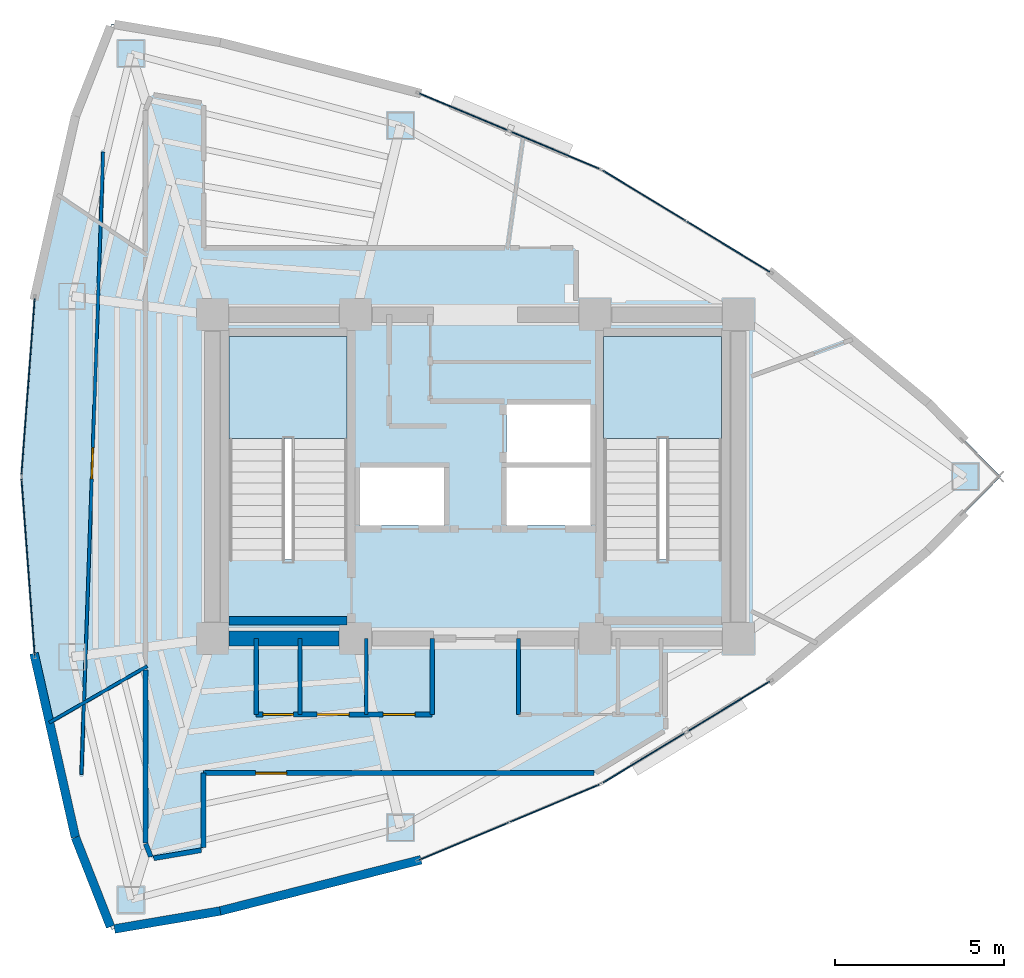
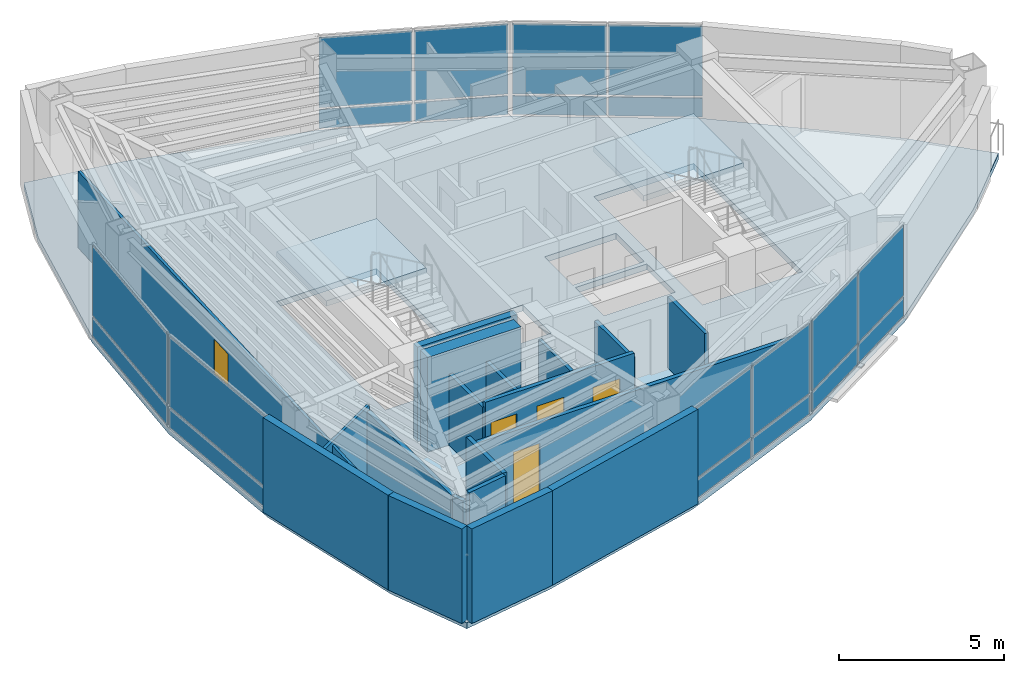
# One storey, part 11 of 16: 20 plates, 19 walls, 5 doors, 3 slabs, 5 openings, 8 elements without a shape of their own.
"""IFC4 building model written with IfcOpenShell, lengths in metres."""

from ifc_helpers import new_model, si_unit, direction, frame, frame_2d, origin, origin_2d, place, context, subcontext, project, spatial, polyline, rectangle, outline, extrude, material, layer, layer_set, type_object, element, fill, aggregate, save


model = new_model("IFC4")

# Units and contexts
model_context = context("Model", 3, precision=1e-05, world=origin(), true_north=direction((0.0, 1.0)))
body_context = subcontext(model_context, "Body", "Model", "MODEL_VIEW")
ifc_project = project(units=[si_unit("LENGTHUNIT", "METRE"), si_unit("AREAUNIT", "SQUARE_METRE"), si_unit("VOLUMEUNIT", "CUBIC_METRE"), si_unit("PLANEANGLEUNIT", "RADIAN"), si_unit("MASSUNIT", "GRAM", prefix="KILO")], contexts=[model_context])

# Site, building, storey
site_placement = place(None, origin())
site = spatial("IfcSite", under=ifc_project, at=site_placement, CompositionType="ELEMENT")
building_placement = place(site_placement, origin())
building = spatial("IfcBuilding", under=site, at=building_placement, Name="Menara Vayukalpa", CompositionType="ELEMENT")
storey_placement = place(building_placement, frame((0.0, 0.0, 273.179931640625)))
storey = spatial("IfcBuildingStorey", under=building, at=storey_placement, Name="L69", CompositionType="ELEMENT", Elevation=273.179931640625)

# Curtain wall, plates
ifc_material_1 = material(Name="Anodised Terracotta Aluminium Alloy 6063-T6", Category="masonry")
ifc_layer_1 = layer(ifc_material_1, 0.1650390625)
ifc_layer_set_1 = layer_set([ifc_layer_1], Name="Anodised Terracotta Aluminium Alloy 6063-T6")
curtain_wall_type = type_object("IfcCurtainWallType", Name="CW-CW6", PredefinedType="USERDEFINED", material=ifc_layer_set_1)
curtain_wall_1_placement = place(storey_placement, origin())
curtain_wall_1 = element("IfcCurtainWall", 1, at=curtain_wall_1_placement, inside=storey, type_object=curtain_wall_type, Name="L69 Observation and Executive Curtain Wall CW6 04", ObjectType="UNITISED", PredefinedType="USERDEFINED")
ifc_material_2 = material(Name="Low-E Double Glazing", Category="glass")
ifc_layer_2 = layer(ifc_material_2, 0.033935546875)
ifc_layer_set_2 = layer_set([ifc_layer_2], Name="Low-E Double Glazing")
plate_type = type_object("IfcPlateType", Name="CWP-CW6", PredefinedType="CURTAIN_PANEL", material=ifc_layer_set_2)
plate_1_placement = place(storey_placement, frame((33.102783203125, 28.814208984375, 0.074951171875), z_axis=(0.0, 0.0, 1.0), x_axis=(-0.854667609532, 0.519175574558, 0.0)))
plate_1 = element("IfcPlate", 2, at=plate_1_placement, type_object=plate_type, Name="CW6 panel 1.1", PredefinedType="CURTAIN_PANEL", context=body_context, shape_type="SweptSolid", body=[
    extrude(rectangle(XDim=2.8486328125, YDim=0.033935546875, at=origin_2d()), origin(), (0.0, 0.0, 1.0), 0.6875),
])
plate_2_placement = place(storey_placement, frame((33.102783203125, 28.814208984375, 0.837646484375), z_axis=(0.0, 0.0, 1.0), x_axis=(-0.854667609532, 0.519175574558, 0.0)))
plate_2 = element("IfcPlate", 3, at=plate_2_placement, type_object=plate_type, Name="CW6 panel 1.2", PredefinedType="CURTAIN_PANEL", context=body_context, shape_type="SweptSolid", body=[
    extrude(rectangle(XDim=2.8486328125, YDim=0.033935546875, at=origin_2d()), origin(), (0.0, 0.0, 1.0), 2.58740234375),
])
plate_3_placement = place(storey_placement, frame((30.608154296875, 30.329345703125, 0.074951171875), z_axis=(0.0, 0.0, 1.0), x_axis=(-0.854667609532, 0.519175574558, 0.0)))
plate_3 = element("IfcPlate", 4, at=plate_3_placement, type_object=plate_type, Name="CW6 panel 2.1", PredefinedType="CURTAIN_PANEL", context=body_context, shape_type="SweptSolid", body=[
    extrude(rectangle(XDim=2.8486328125, YDim=0.033935546875, at=origin_2d()), origin(), (0.0, 0.0, 1.0), 0.6875),
])
plate_4_placement = place(storey_placement, frame((30.608154296875, 30.329345703125, 0.837646484375), z_axis=(0.0, 0.0, 1.0), x_axis=(-0.854667609532, 0.519175574558, 0.0)))
plate_4 = element("IfcPlate", 5, at=plate_4_placement, type_object=plate_type, Name="CW6 panel 2.2", PredefinedType="CURTAIN_PANEL", context=body_context, shape_type="SweptSolid", body=[
    extrude(rectangle(XDim=2.8486328125, YDim=0.033935546875, at=origin_2d()), origin(), (0.0, 0.0, 1.0), 2.58740234375),
])
aggregate(curtain_wall_1, [plate_1, plate_2, plate_3, plate_4])

curtain_wall_2_placement = place(storey_placement, origin())
curtain_wall_2 = element("IfcCurtainWall", 6, at=curtain_wall_2_placement, inside=storey, type_object=curtain_wall_type, Name="L69 Observation and Executive Curtain Wall CW6 05", ObjectType="UNITISED", PredefinedType="USERDEFINED")
plate_5_placement = place(storey_placement, frame((27.952392578125, 31.681884765625, 0.074951171875), z_axis=(0.0, 0.0, 1.0), x_axis=(-0.922540653927, 0.385899911703, 0.0)))
plate_5 = element("IfcPlate", 7, at=plate_5_placement, type_object=plate_type, Name="CW6 panel 1.1", PredefinedType="CURTAIN_PANEL", context=body_context, shape_type="SweptSolid", body=[
    extrude(rectangle(XDim=2.8486328125, YDim=0.033935546875, at=origin_2d()), origin(), (0.0, 0.0, 1.0), 0.6875),
])
plate_6_placement = place(storey_placement, frame((27.952392578125, 31.681884765625, 0.837646484375), z_axis=(0.0, 0.0, 1.0), x_axis=(-0.922540653927, 0.385899911703, 0.0)))
plate_6 = element("IfcPlate", 8, at=plate_6_placement, type_object=plate_type, Name="CW6 panel 1.2", PredefinedType="CURTAIN_PANEL", context=body_context, shape_type="SweptSolid", body=[
    extrude(rectangle(XDim=2.8486328125, YDim=0.033935546875, at=origin_2d()), origin(), (0.0, 0.0, 1.0), 2.58740234375),
])
plate_7_placement = place(storey_placement, frame((25.259765625, 32.808349609375, 0.074951171875), z_axis=(0.0, 0.0, 1.0), x_axis=(-0.922540653927, 0.385899911703, 0.0)))
plate_7 = element("IfcPlate", 9, at=plate_7_placement, type_object=plate_type, Name="CW6 panel 2.1", PredefinedType="CURTAIN_PANEL", context=body_context, shape_type="SweptSolid", body=[
    extrude(rectangle(XDim=2.8486328125, YDim=0.033935546875, at=origin_2d()), origin(), (0.0, 0.0, 1.0), 0.6875),
])
plate_8_placement = place(storey_placement, frame((25.259765625, 32.808349609375, 0.837646484375), z_axis=(0.0, 0.0, 1.0), x_axis=(-0.922540653927, 0.385899911703, 0.0)))
plate_8 = element("IfcPlate", 10, at=plate_8_placement, type_object=plate_type, Name="CW6 panel 2.2", PredefinedType="CURTAIN_PANEL", context=body_context, shape_type="SweptSolid", body=[
    extrude(rectangle(XDim=2.8486328125, YDim=0.033935546875, at=origin_2d()), origin(), (0.0, 0.0, 1.0), 2.58740234375),
])
aggregate(curtain_wall_2, [plate_5, plate_6, plate_7, plate_8])

curtain_wall_3_placement = place(storey_placement, origin())
curtain_wall_3 = element("IfcCurtainWall", 11, at=curtain_wall_3_placement, inside=storey, type_object=curtain_wall_type, Name="L69 Observation and Executive Curtain Wall CW6 10", ObjectType="UNITISED", PredefinedType="USERDEFINED")
plate_9_placement = place(storey_placement, frame((12.33837890625, 24.67333984375, 0.074951171875), z_axis=(0.0, 0.0, 1.0), x_axis=(-0.074789484574, -0.997199344663, 0.0)))
plate_9 = element("IfcPlate", 12, at=plate_9_placement, type_object=plate_type, Name="CW6 panel 1.1", PredefinedType="CURTAIN_PANEL", context=body_context, shape_type="SweptSolid", body=[
    extrude(rectangle(XDim=5.2216796875, YDim=0.033935546875, at=origin_2d()), origin(), (0.0, 0.0, 1.0), 0.6875),
])
plate_10_placement = place(storey_placement, frame((12.33837890625, 24.67333984375, 0.837646484375), z_axis=(0.0, 0.0, 1.0), x_axis=(-0.074789484574, -0.997199344663, 0.0)))
plate_10 = element("IfcPlate", 13, at=plate_10_placement, type_object=plate_type, Name="CW6 panel 1.2", PredefinedType="CURTAIN_PANEL", context=body_context, shape_type="SweptSolid", body=[
    extrude(rectangle(XDim=5.2216796875, YDim=0.033935546875, at=origin_2d()), origin(), (0.0, 0.0, 1.0), 2.58740234375),
])
aggregate(curtain_wall_3, [plate_9, plate_10])

curtain_wall_4_placement = place(storey_placement, origin())
curtain_wall_4 = element("IfcCurtainWall", 14, at=curtain_wall_4_placement, inside=storey, type_object=curtain_wall_type, Name="L69 Observation and Executive Curtain Wall CW6 11", ObjectType="UNITISED", PredefinedType="USERDEFINED")
plate_11_placement = place(storey_placement, frame((12.33837890625, 19.32666015625, 0.074951171875), z_axis=(0.0, 0.0, 1.0), x_axis=(0.074789484574, -0.997199344663, 0.0)))
plate_11 = element("IfcPlate", 15, at=plate_11_placement, type_object=plate_type, Name="CW6 panel 1.1", PredefinedType="CURTAIN_PANEL", context=body_context, shape_type="SweptSolid", body=[
    extrude(rectangle(XDim=5.2216796875, YDim=0.033935546875, at=origin_2d()), origin(), (0.0, 0.0, 1.0), 0.6875),
])
plate_12_placement = place(storey_placement, frame((12.33837890625, 19.32666015625, 0.837646484375), z_axis=(0.0, 0.0, 1.0), x_axis=(0.074789484574, -0.997199344663, 0.0)))
plate_12 = element("IfcPlate", 16, at=plate_12_placement, type_object=plate_type, Name="CW6 panel 1.2", PredefinedType="CURTAIN_PANEL", context=body_context, shape_type="SweptSolid", body=[
    extrude(rectangle(XDim=5.2216796875, YDim=0.033935546875, at=origin_2d()), origin(), (0.0, 0.0, 1.0), 2.58740234375),
])
aggregate(curtain_wall_4, [plate_11, plate_12])

curtain_wall_5_placement = place(storey_placement, origin())
curtain_wall_5 = element("IfcCurtainWall", 17, at=curtain_wall_5_placement, inside=storey, type_object=curtain_wall_type, Name="L69 Observation and Executive Curtain Wall CW6 16", ObjectType="UNITISED", PredefinedType="USERDEFINED")
plate_13_placement = place(storey_placement, frame((25.259765625, 11.191650390625, 0.074951171875), z_axis=(0.0, 0.0, 1.0), x_axis=(0.922540653927, 0.385899911703, 0.0)))
plate_13 = element("IfcPlate", 18, at=plate_13_placement, type_object=plate_type, Name="CW6 panel 1.1", PredefinedType="CURTAIN_PANEL", context=body_context, shape_type="SweptSolid", body=[
    extrude(rectangle(XDim=2.8486328125, YDim=0.033935546875, at=origin_2d()), origin(), (0.0, 0.0, 1.0), 0.6875),
])
plate_14_placement = place(storey_placement, frame((25.259765625, 11.191650390625, 0.837646484375), z_axis=(0.0, 0.0, 1.0), x_axis=(0.922540653927, 0.385899911703, 0.0)))
plate_14 = element("IfcPlate", 19, at=plate_14_placement, type_object=plate_type, Name="CW6 panel 1.2", PredefinedType="CURTAIN_PANEL", context=body_context, shape_type="SweptSolid", body=[
    extrude(rectangle(XDim=2.8486328125, YDim=0.033935546875, at=origin_2d()), origin(), (0.0, 0.0, 1.0), 2.58740234375),
])
plate_15_placement = place(storey_placement, frame((27.952392578125, 12.318115234375, 0.074951171875), z_axis=(0.0, 0.0, 1.0), x_axis=(0.922540653927, 0.385899911703, 0.0)))
plate_15 = element("IfcPlate", 20, at=plate_15_placement, type_object=plate_type, Name="CW6 panel 2.1", PredefinedType="CURTAIN_PANEL", context=body_context, shape_type="SweptSolid", body=[
    extrude(rectangle(XDim=2.8486328125, YDim=0.033935546875, at=origin_2d()), origin(), (0.0, 0.0, 1.0), 0.6875),
])
plate_16_placement = place(storey_placement, frame((27.952392578125, 12.318115234375, 0.837646484375), z_axis=(0.0, 0.0, 1.0), x_axis=(0.922540653927, 0.385899911703, 0.0)))
plate_16 = element("IfcPlate", 21, at=plate_16_placement, type_object=plate_type, Name="CW6 panel 2.2", PredefinedType="CURTAIN_PANEL", context=body_context, shape_type="SweptSolid", body=[
    extrude(rectangle(XDim=2.8486328125, YDim=0.033935546875, at=origin_2d()), origin(), (0.0, 0.0, 1.0), 2.58740234375),
])
aggregate(curtain_wall_5, [plate_13, plate_14, plate_15, plate_16])

curtain_wall_6_placement = place(storey_placement, origin())
curtain_wall_6 = element("IfcCurtainWall", 22, at=curtain_wall_6_placement, inside=storey, type_object=curtain_wall_type, Name="L69 Observation and Executive Curtain Wall CW6 17", ObjectType="UNITISED", PredefinedType="USERDEFINED")
plate_17_placement = place(storey_placement, frame((30.608154296875, 13.670654296875, 0.074951171875), z_axis=(0.0, 0.0, 1.0), x_axis=(0.854667609532, 0.519175574558, 0.0)))
plate_17 = element("IfcPlate", 23, at=plate_17_placement, type_object=plate_type, Name="CW6 panel 1.1", PredefinedType="CURTAIN_PANEL", context=body_context, shape_type="SweptSolid", body=[
    extrude(rectangle(XDim=2.8486328125, YDim=0.033935546875, at=origin_2d()), origin(), (0.0, 0.0, 1.0), 0.6875),
])
plate_18_placement = place(storey_placement, frame((30.608154296875, 13.670654296875, 0.837646484375), z_axis=(0.0, 0.0, 1.0), x_axis=(0.854667609532, 0.519175574558, 0.0)))
plate_18 = element("IfcPlate", 24, at=plate_18_placement, type_object=plate_type, Name="CW6 panel 1.2", PredefinedType="CURTAIN_PANEL", context=body_context, shape_type="SweptSolid", body=[
    extrude(rectangle(XDim=2.8486328125, YDim=0.033935546875, at=origin_2d()), origin(), (0.0, 0.0, 1.0), 2.58740234375),
])
plate_19_placement = place(storey_placement, frame((33.102783203125, 15.185791015625, 0.074951171875), z_axis=(0.0, 0.0, 1.0), x_axis=(0.854667609532, 0.519175574558, 0.0)))
plate_19 = element("IfcPlate", 25, at=plate_19_placement, type_object=plate_type, Name="CW6 panel 2.1", PredefinedType="CURTAIN_PANEL", context=body_context, shape_type="SweptSolid", body=[
    extrude(rectangle(XDim=2.8486328125, YDim=0.033935546875, at=origin_2d()), origin(), (0.0, 0.0, 1.0), 0.6875),
])
plate_20_placement = place(storey_placement, frame((33.102783203125, 15.185791015625, 0.837646484375), z_axis=(0.0, 0.0, 1.0), x_axis=(0.854667609532, 0.519175574558, 0.0)))
plate_20 = element("IfcPlate", 26, at=plate_20_placement, type_object=plate_type, Name="CW6 panel 2.2", PredefinedType="CURTAIN_PANEL", context=body_context, shape_type="SweptSolid", body=[
    extrude(rectangle(XDim=2.8486328125, YDim=0.033935546875, at=origin_2d()), origin(), (0.0, 0.0, 1.0), 2.58740234375),
])
aggregate(curtain_wall_6, [plate_17, plate_18, plate_19, plate_20])

# Slab
ifc_material_3 = material(Name="Concrete C40/50", Category="concrete")
ifc_layer_3 = layer(ifc_material_3, 0.219970703125)
ifc_layer_set_3 = layer_set([ifc_layer_3], Name="Concrete C40/50")
slab_type_1 = type_object("IfcSlabType", Name="SLB-FL220", PredefinedType="FLOOR", material=ifc_layer_set_3)
slab_1_placement = place(storey_placement, frame((0.0, 0.0, -0.219970703125)))
element("IfcSlab", 27, at=slab_1_placement, inside=storey, type_object=slab_type_1, Name="L69 Structural Floor Slab", PredefinedType="FLOOR", context=body_context, shape_type="SweptSolid", body=[
    extrude(outline(polyline([(39.02783203125, 19.816162109375), (41.171875, 22.0), (39.02783203125, 24.183837890625), (34.3798828125, 28.038330078125), (29.3310546875, 31.105224609375), (23.881103515625, 33.385009765625), (18.0302734375, 34.877197265625), (14.814208984375, 35.423095703125), (13.741943359375, 32.693359375), (12.5390625, 27.3466796875), (12.137939453125, 22.0), (12.5390625, 16.6533203125), (13.741943359375, 11.306640625), (14.814208984375, 8.576904296875), (18.0302734375, 9.122802734375), (23.881103515625, 10.614990234375), (29.3310546875, 12.894775390625), (34.3798828125, 15.961669921875), (39.02783203125, 19.816162109375)]), holes=[polyline([(21.800048828125, 19.550048828125), (21.800048828125, 26.14990234375), (18.300048828125, 26.14990234375), (18.300048828125, 19.550048828125), (21.800048828125, 19.550048828125)]), polyline([(32.89990234375, 19.550048828125), (32.89990234375, 26.14990234375), (29.39990234375, 26.14990234375), (29.39990234375, 19.550048828125), (32.89990234375, 19.550048828125)]), polyline([(22.179931640625, 20.550048828125), (24.679931640625, 20.550048828125), (24.679931640625, 22.27001953125), (22.179931640625, 22.27001953125), (22.179931640625, 20.550048828125)]), polyline([(26.52001953125, 20.550048828125), (29.02001953125, 20.550048828125), (29.02001953125, 22.27001953125), (26.52001953125, 22.27001953125), (26.52001953125, 20.550048828125)]), polyline([(26.52001953125, 22.419921875), (29.02001953125, 22.419921875), (29.02001953125, 24.139892578125), (26.52001953125, 24.139892578125), (26.52001953125, 22.419921875)])]), origin(), (0.0, 0.0, 1.0), 0.219970703125),
])

# Stair, slab
ifc_material_4 = material(Name="Precast Concrete C40/50", Category="concrete")
stair_type = type_object("IfcStairType", Name="STR-T04", PredefinedType="DOUBLE_RETURN_STAIR", material=ifc_material_4)
stair_1_placement = place(storey_placement, origin())
stair_1 = element("IfcStair", 28, at=stair_1_placement, inside=storey, type_object=stair_type, Name="L69 Core Exit Stair ST-1", PredefinedType="DOUBLE_RETURN_STAIR")
ifc_material_5 = material(Name="Precast Concrete C40/50", Category="concrete")
ifc_layer_4 = layer(ifc_material_5, 0.199951171875)
ifc_layer_set_4 = layer_set([ifc_layer_4], Name="Precast Concrete C40/50")
slab_type_2 = type_object("IfcSlabType", Name="SLB-LND200", PredefinedType="LANDING", material=ifc_layer_set_4)
slab_2_placement = place(storey_placement, frame((0.0, 0.0, 1.66015625)))
slab_2 = element("IfcSlab", 29, at=slab_2_placement, type_object=slab_type_2, Name="ST-1 landing 1", PredefinedType="LANDING", context=body_context, shape_type="SweptSolid", body=[
    extrude(outline(polyline([(21.800048828125, 23.1298828125), (21.800048828125, 26.14990234375), (18.300048828125, 26.14990234375), (18.300048828125, 23.1298828125), (21.800048828125, 23.1298828125)])), origin(), (0.0, 0.0, 1.0), 0.199951171875),
])
aggregate(stair_1, [slab_2])

stair_2_placement = place(storey_placement, origin())
stair_2 = element("IfcStair", 30, at=stair_2_placement, inside=storey, type_object=stair_type, Name="L69 Core Exit Stair ST-2", PredefinedType="DOUBLE_RETURN_STAIR")
slab_3_placement = place(storey_placement, frame((0.0, 0.0, 1.66015625)))
slab_3 = element("IfcSlab", 31, at=slab_3_placement, type_object=slab_type_2, Name="ST-2 landing 1", PredefinedType="LANDING", context=body_context, shape_type="SweptSolid", body=[
    extrude(outline(polyline([(32.89990234375, 23.1298828125), (32.89990234375, 26.14990234375), (29.39990234375, 26.14990234375), (29.39990234375, 23.1298828125), (32.89990234375, 23.1298828125)])), origin(), (0.0, 0.0, 1.0), 0.199951171875),
])
aggregate(stair_2, [slab_3])

# Walls
ifc_material_6 = material(Name="Concrete C50/60", Category="concrete")
ifc_layer_5 = layer(ifc_material_6, 0.449951171875)
ifc_layer_set_5 = layer_set([ifc_layer_5], Name="Concrete C50/60")
wall_type_1 = type_object("IfcWallType", Name="WAL-CW450", PredefinedType="SHEAR", material=ifc_layer_set_5)
wall_1_placement = place(storey_placement, frame((18.294921875, 17.199951171875, 0.0), z_axis=(0.0, 0.0, 1.0), x_axis=(1.0, 0.0, 0.0)))
element("IfcWall", 32, at=wall_1_placement, inside=storey, type_object=wall_type_1, Name="L69 Buttressed Core Shear Wall CWS1", PredefinedType="SHEAR", context=body_context, shape_type="SweptSolid", body=[
    extrude(rectangle(XDim=3.260009765625, YDim=0.449951171875, at=frame_2d((1.6298828125, 0.0))), origin(), (0.0, 0.0, 1.0), 3.5),
])
ifc_material_7 = material(Name="Insulated Precast Concrete C40/50", Category="concrete")
ifc_layer_6 = layer(ifc_material_7, 0.260009765625)
ifc_layer_set_6 = layer_set([ifc_layer_6], Name="Insulated Precast Concrete C40/50")
wall_type_2 = type_object("IfcWallType", Name="WAL-EXT260", PredefinedType="PARTITIONING", material=ifc_layer_set_6)
wall_2_placement = place(storey_placement, frame((13.741943359375, 11.306640625, 0.0), z_axis=(0.0, 0.0, 1.0), x_axis=(-0.219500763731, 0.97561232809, 0.0)))
element("IfcWall", 33, at=wall_2_placement, inside=storey, type_object=wall_type_2, Name="L69 Perimeter Terracotta Pier Wall 12", PredefinedType="PARTITIONING", context=body_context, shape_type="SweptSolid", body=[
    extrude(rectangle(XDim=5.590087890625, YDim=0.260009765625, at=frame_2d((2.794921875, 0.0))), origin(), (0.0, 0.0, 1.0), 3.5),
])
wall_3_placement = place(storey_placement, frame((14.7822265625, 8.658203125, 0.0), z_axis=(0.0, 0.0, 1.0), x_axis=(-0.36559927932, 0.930772349697, 0.0)))
element("IfcWall", 34, at=wall_3_placement, inside=storey, type_object=wall_type_2, Name="L69 Perimeter Terracotta Pier Wall 13", PredefinedType="PARTITIONING", context=body_context, shape_type="SweptSolid", body=[
    extrude(rectangle(XDim=2.845458984375, YDim=0.260009765625, at=frame_2d((1.4228515625, 0.0))), origin(), (0.0, 0.0, 1.0), 3.5),
])
wall_4_placement = place(storey_placement, frame((18.0361328125, 9.123779296875, 0.0), z_axis=(0.0, 0.0, 1.0), x_axis=(-0.985889432766, -0.167397808709, 0.0)))
element("IfcWall", 35, at=wall_4_placement, inside=storey, type_object=wall_type_2, Name="L69 Perimeter Terracotta Pier Wall 14", PredefinedType="PARTITIONING", context=body_context, shape_type="SweptSolid", body=[
    extrude(rectangle(XDim=3.180908203125, YDim=0.260009765625, at=frame_2d((1.59033203125, 0.0))), origin(), (0.0, 0.0, 1.0), 3.5),
])
wall_5_placement = place(storey_placement, frame((23.98779296875, 10.64208984375, 0.0), z_axis=(0.0, 0.0, 1.0), x_axis=(-0.968988278672, -0.247106689096, 0.0)))
element("IfcWall", 36, at=wall_5_placement, inside=storey, type_object=wall_type_2, Name="L69 Perimeter Terracotta Pier Wall 15", PredefinedType="PARTITIONING", context=body_context, shape_type="SweptSolid", body=[
    extrude(rectangle(XDim=6.154296875, YDim=0.260009765625, at=frame_2d((3.0771484375, 0.0))), origin(), (0.0, 0.0, 1.0), 3.5),
])
ifc_material_8 = material(Name="Glazed Demountable Office Partition", Category="glass")
ifc_layer_7 = layer(ifc_material_8, 0.094970703125)
ifc_layer_set_7 = layer_set([ifc_layer_7], Name="Glazed Demountable Office Partition")
wall_type_3 = type_object("IfcWallType", Name="WAL-PT100", PredefinedType="PARTITIONING", material=ifc_layer_set_7)
wall_6_placement = place(storey_placement, frame((15.8701171875, 16.38232421875, 0.0), z_axis=(0.0, 0.0, 1.0), x_axis=(-0.866052188221, -0.499953605124, 0.0)))
element("IfcWall", 37, at=wall_6_placement, inside=storey, type_object=wall_type_3, Name="L69 Interior Partition IW-L69-RDIV04", PredefinedType="PARTITIONING", context=body_context, shape_type="SweptSolid", body=[
    extrude(rectangle(XDim=3.352294921875, YDim=0.094970703125, at=frame_2d((1.67626953125, 0.0))), origin(), (0.0, 0.0, 1.0), 2.97998046875),
])

# Wall, opening, door
wall_7_placement = place(storey_placement, frame((14.565185546875, 31.622314453125, 0.0), z_axis=(0.0, 0.0, 1.0), x_axis=(-0.03489676283, -0.999390922484, 0.0)))
wall_7 = element("IfcWall", 38, at=wall_7_placement, inside=storey, type_object=wall_type_3, Name="L69 Interior Partition IW-L69-RDIV06", PredefinedType="PARTITIONING", context=body_context, shape_type="SweptSolid", body=[
    extrude(rectangle(XDim=18.462646484375, YDim=0.094970703125, at=frame_2d((9.2314453125, 0.0))), origin(), (0.0, 0.0, 1.0), 2.830078125),
])
opening_1_placement = place(wall_7_placement, frame((8.771240234375, 0.0, 0.0)))
opening_1 = element("IfcOpeningElement", 39, at=opening_1_placement, cuts=wall_7, Name="Opening ID6", PredefinedType="OPENING", context=body_context, shape_type="SweptSolid", body=[
    extrude(rectangle(XDim=0.919921875, YDim=2.050048828125, at=frame_2d((0.4599609375, 1.02490234375))), frame((0.0, 0.057373046875, 0.0), z_axis=(0.0, -1.0, 0.0), x_axis=(1.0, 0.0, 0.0)), (0.0, 0.0, 1.0), 0.114990234375),
])
ifc_material_9 = material(Name="Acoustic Hardwood Veneer Timber Door", Category="wood")
door_type_1 = type_object("IfcDoorType", Name="DR-INT92", OperationType="NOTDEFINED", PredefinedType="DOOR", material=ifc_material_9)
door_1_placement = place(opening_1_placement, origin())
door_1 = element("IfcDoor", 40, at=door_1_placement, inside=storey, type_object=door_type_1, Name="L69 Interior Door DR-L69-STE06", OperationType="SINGLE_SWING_RIGHT", OverallHeight=2.050048828125, OverallWidth=0.919921875, PredefinedType="DOOR", context=body_context, shape_type="SweptSolid", body=[
    extrude(rectangle(XDim=0.919921875, YDim=2.050048828125, at=frame_2d((0.4599609375, 1.02490234375))), frame((0.0, 0.02490234375, 0.0), z_axis=(0.0, -1.0, 0.0), x_axis=(1.0, 0.0, 0.0)), (0.0, 0.0, 1.0), 0.050048828125),
])
fill(opening_1, door_1)

# Walls
ifc_material_10 = material(Name="Acoustic Mineral Stud Partition", Category="masonry")
ifc_layer_8 = layer(ifc_material_10, 0.110107421875)
ifc_layer_set_8 = layer_set([ifc_layer_8], Name="Acoustic Mineral Stud Partition")
wall_type_4 = type_object("IfcWallType", Name="WAL-PT110", PredefinedType="PARTITIONING", material=ifc_layer_set_8)
wall_8_placement = place(storey_placement, frame((22.360107421875, 14.949951171875, 0.0), z_axis=(0.0, 0.0, 1.0), x_axis=(0.0, 1.0, 0.0)))
element("IfcWall", 41, at=wall_8_placement, inside=storey, type_object=wall_type_4, Name="L69 Interior Partition IW-L69-SVCD-03", PredefinedType="PARTITIONING", context=body_context, shape_type="SweptSolid", body=[
    extrude(rectangle(XDim=2.25, YDim=0.110107421875, at=frame_2d((1.125, 0.0))), origin(), (0.0, 0.0, 1.0), 2.630126953125),
])
ifc_material_11 = material(Name="Gypsum Drywall Steel Stud Assembly", Category="steel")
ifc_layer_9 = layer(ifc_material_11, 0.125)
ifc_layer_set_9 = layer_set([ifc_layer_9], Name="Gypsum Drywall Steel Stud Assembly")
wall_type_5 = type_object("IfcWallType", Name="WAL-PT125", PredefinedType="PARTITIONING", material=ifc_layer_set_9)
for number, where, z_axis, x_axis, name in (
    (42, (19.10009765625, 14.949951171875, 0.0), (0.0, 0.0, 1.0), (0.0, 1.0, 0.0), "L69 Interior Partition IW-L69-SVCD-01"),
    (43, (20.39990234375, 14.949951171875, 0.0), (0.0, 0.0, 1.0), (0.0, 1.0, 0.0), "L69 Interior Partition IW-L69-SVCD-02"),
    (44, (24.320068359375, 14.949951171875, 0.0), (0.0, 0.0, 1.0), (0.0, 1.0, 0.0), "L69 Interior Partition IW-L69-SVCD-04"),
    (45, (26.8798828125, 14.949951171875, 0.0), (0.0, 0.0, 1.0), (0.0, 1.0, 0.0), "L69 Interior Partition IW-L69-SVCD-05"),
):
    element("IfcWall", number, at=place(storey_placement, frame(where, z_axis=z_axis, x_axis=x_axis)), inside=storey, type_object=wall_type_5, Name=name, PredefinedType="PARTITIONING", context=body_context, shape_type="SweptSolid", body=[
        extrude(rectangle(XDim=2.25, YDim=0.125, at=frame_2d((1.125, 0.0))), origin(), (0.0, 0.0, 1.0), 2.630126953125),
    ])

# Wall, openings, doors
ifc_material_12 = material(Name="Gypsum Drywall Acoustic Stud Assembly", Category="masonry")
ifc_layer_10 = layer(ifc_material_12, 0.14501953125)
ifc_layer_set_10 = layer_set([ifc_layer_10], Name="Gypsum Drywall Acoustic Stud Assembly")
wall_type_6 = type_object("IfcWallType", Name="WAL-PT150", PredefinedType="PARTITIONING", material=ifc_layer_set_10)
wall_9_placement = place(storey_placement, frame((19.10009765625, 14.949951171875, 0.0), z_axis=(0.0, 0.0, 1.0), x_axis=(1.0, 0.0, 0.0)))
wall_9 = element("IfcWall", 46, at=wall_9_placement, inside=storey, type_object=wall_type_6, Name="L69 Interior Partition IW-L69-SVCS-W", PredefinedType="PARTITIONING", context=body_context, shape_type="SweptSolid", body=[
    extrude(rectangle(XDim=5.219970703125, YDim=0.14501953125, at=frame_2d((2.60986328125, 0.0))), origin(), (0.0, 0.0, 1.0), 2.830078125),
])
opening_2_placement = place(wall_9_placement, frame((0.199951171875, 0.0, 0.0)))
opening_2 = element("IfcOpeningElement", 47, at=opening_2_placement, cuts=wall_9, Name="Opening ID7", PredefinedType="OPENING", context=body_context, shape_type="SweptSolid", body=[
    extrude(rectangle(XDim=0.89990234375, YDim=2.02001953125, at=frame_2d((0.449951171875, 1.010009765625))), frame((0.0, 0.08251953125, 0.0), z_axis=(0.0, -1.0, 0.0), x_axis=(1.0, 0.0, 0.0)), (0.0, 0.0, 1.0), 0.1650390625),
])
opening_3_placement = place(wall_9_placement, frame((1.804931640625, 0.0, 0.0)))
opening_3 = element("IfcOpeningElement", 48, at=opening_3_placement, cuts=wall_9, Name="Opening ID5", PredefinedType="OPENING", context=body_context, shape_type="SweptSolid", body=[
    extrude(rectangle(XDim=0.949951171875, YDim=2.06005859375, at=frame_2d((0.47509765625, 1.030029296875))), frame((0.0, 0.08251953125, 0.0), z_axis=(0.0, -1.0, 0.0), x_axis=(1.0, 0.0, 0.0)), (0.0, 0.0, 1.0), 0.1650390625),
])
opening_4_placement = place(wall_9_placement, frame((3.764892578125, 0.0, 0.0)))
opening_4 = element("IfcOpeningElement", 49, at=opening_4_placement, cuts=wall_9, Name="Opening ID5", PredefinedType="OPENING", context=body_context, shape_type="SweptSolid", body=[
    extrude(rectangle(XDim=0.949951171875, YDim=2.06005859375, at=frame_2d((0.47509765625, 1.030029296875))), frame((0.0, 0.08251953125, 0.0), z_axis=(0.0, -1.0, 0.0), x_axis=(1.0, 0.0, 0.0)), (0.0, 0.0, 1.0), 0.1650390625),
])
ifc_material_13 = material(Name="Acoustic Hardwood Veneer Timber Door", Category="wood")
door_type_2 = type_object("IfcDoorType", Name="DR-INT95", OperationType="NOTDEFINED", PredefinedType="DOOR", material=ifc_material_13)
door_2_placement = place(opening_3_placement, origin())
door_2 = element("IfcDoor", 50, at=door_2_placement, inside=storey, type_object=door_type_2, Name="L69 Interior Door DR-L69-AWC", OperationType="SINGLE_SWING_RIGHT", OverallHeight=2.06005859375, OverallWidth=0.949951171875, PredefinedType="DOOR", context=body_context, shape_type="SweptSolid", body=[
    extrude(rectangle(XDim=0.949951171875, YDim=2.06005859375, at=frame_2d((0.47509765625, 1.030029296875))), frame((0.0, 0.02490234375, 0.0), z_axis=(0.0, -1.0, 0.0), x_axis=(1.0, 0.0, 0.0)), (0.0, 0.0, 1.0), 0.050048828125),
])
fill(opening_3, door_2)
door_3_placement = place(opening_4_placement, origin())
door_3 = element("IfcDoor", 51, at=door_3_placement, inside=storey, type_object=door_type_2, Name="L69 Interior Door DR-L69-SWC", OperationType="SINGLE_SWING_LEFT", OverallHeight=2.06005859375, OverallWidth=0.949951171875, PredefinedType="DOOR", context=body_context, shape_type="SweptSolid", body=[
    extrude(rectangle(XDim=0.949951171875, YDim=2.06005859375, at=frame_2d((0.47509765625, 1.030029296875))), frame((0.0, 0.02490234375, 0.0), z_axis=(0.0, -1.0, 0.0), x_axis=(1.0, 0.0, 0.0)), (0.0, 0.0, 1.0), 0.050048828125),
])
fill(opening_4, door_3)
ifc_material_14 = material(Name="Powder-Coated Steel Riser Access Door", Category="steel")
door_type_3 = type_object("IfcDoorType", Name="DR-RISER", OperationType="NOTDEFINED", PredefinedType="DOOR", material=ifc_material_14)
door_4_placement = place(opening_2_placement, origin())
door_4 = element("IfcDoor", 52, at=door_4_placement, inside=storey, type_object=door_type_3, Name="L69 Interior Door DR-L69-ELR", OperationType="SINGLE_SWING_LEFT", OverallHeight=2.02001953125, OverallWidth=0.89990234375, PredefinedType="DOOR", context=body_context, shape_type="SweptSolid", body=[
    extrude(rectangle(XDim=0.89990234375, YDim=2.02001953125, at=frame_2d((0.449951171875, 1.010009765625))), frame((0.0, 0.02490234375, 0.0), z_axis=(0.0, -1.0, 0.0), x_axis=(1.0, 0.0, 0.0)), (0.0, 0.0, 1.0), 0.050048828125),
])
fill(opening_2, door_4)

# Walls
wall_10_placement = place(storey_placement, frame((15.820068359375, 16.272705078125, 0.0), z_axis=(0.0, 0.0, 1.0), x_axis=(0.0, -1.0, 0.0)))
element("IfcWall", 53, at=wall_10_placement, inside=storey, type_object=wall_type_6, Name="L69 Interior Partition IW-L69-CRM02-1", PredefinedType="PARTITIONING", context=body_context, shape_type="SweptSolid", body=[
    extrude(rectangle(XDim=5.12646484375, YDim=0.14501953125, at=frame_2d((2.563232421875, 0.0))), origin(), (0.0, 0.0, 1.0), 2.830078125),
])
wall_11_placement = place(storey_placement, frame((15.825439453125, 11.116943359375, 0.0), z_axis=(0.0, 0.0, 1.0), x_axis=(0.365633948196, -0.930758731319, 0.0)))
element("IfcWall", 54, at=wall_11_placement, inside=storey, type_object=wall_type_6, Name="L69 Interior Partition IW-L69-CRM02-2", PredefinedType="PARTITIONING", context=body_context, shape_type="SweptSolid", body=[
    extrude(rectangle(XDim=0.409912109375, YDim=0.14501953125, at=frame_2d((0.205078125, 0.0))), origin(), (0.0, 0.0, 1.0), 2.830078125),
])
wall_12_placement = place(storey_placement, frame((16.063232421875, 10.685546875, 0.0), z_axis=(0.0, 0.0, 1.0), x_axis=(0.985881780308, 0.167442871621, 0.0)))
element("IfcWall", 55, at=wall_12_placement, inside=storey, type_object=wall_type_6, Name="L69 Interior Partition IW-L69-CRM02-3", PredefinedType="PARTITIONING", context=body_context, shape_type="SweptSolid", body=[
    extrude(rectangle(XDim=1.430419921875, YDim=0.14501953125, at=frame_2d((0.71533203125, 0.0))), origin(), (0.0, 0.0, 1.0), 3.130126953125),
])
wall_13_placement = place(storey_placement, frame((17.5400390625, 11.00390625, 0.0), z_axis=(0.0, 0.0, 1.0), x_axis=(0.0, 1.0, 0.0)))
element("IfcWall", 56, at=wall_13_placement, inside=storey, type_object=wall_type_6, Name="L69 Interior Partition IW-L69-CRM02-4", PredefinedType="PARTITIONING", context=body_context, shape_type="SweptSolid", body=[
    extrude(rectangle(XDim=2.2060546875, YDim=0.14501953125, at=frame_2d((1.10302734375, 0.0))), origin(), (0.0, 0.0, 1.0), 3.130126953125),
])

# Wall, opening, door
wall_14_placement = place(storey_placement, frame((17.5400390625, 13.2099609375, 0.0), z_axis=(0.0, 0.0, 1.0), x_axis=(1.0, 0.0, 0.0)))
wall_14 = element("IfcWall", 57, at=wall_14_placement, inside=storey, type_object=wall_type_6, Name="L69 Interior Partition IW-L69-CRM02-5", PredefinedType="PARTITIONING", context=body_context, shape_type="SweptSolid", body=[
    extrude(rectangle(XDim=11.56982421875, YDim=0.14501953125, at=frame_2d((5.784912109375, 0.0))), origin(), (0.0, 0.0, 1.0), 2.830078125),
])
opening_5_placement = place(wall_14_placement, frame((1.541259765625, 0.0, 0.0)))
opening_5 = element("IfcOpeningElement", 58, at=opening_5_placement, cuts=wall_14, Name="Opening ID6", PredefinedType="OPENING", context=body_context, shape_type="SweptSolid", body=[
    extrude(rectangle(XDim=0.919921875, YDim=2.050048828125, at=frame_2d((0.4599609375, 1.02490234375))), frame((0.0, 0.08251953125, 0.0), z_axis=(0.0, -1.0, 0.0), x_axis=(1.0, 0.0, 0.0)), (0.0, 0.0, 1.0), 0.1650390625),
])
door_5_placement = place(opening_5_placement, origin())
door_5 = element("IfcDoor", 59, at=door_5_placement, inside=storey, type_object=door_type_1, Name="L69 Interior Door DR-L69-RM02", OperationType="SINGLE_SWING_LEFT", OverallHeight=2.050048828125, OverallWidth=0.919921875, PredefinedType="DOOR", context=body_context, shape_type="SweptSolid", body=[
    extrude(rectangle(XDim=0.919921875, YDim=2.050048828125, at=frame_2d((0.4599609375, 1.02490234375))), frame((0.0, 0.02490234375, 0.0), z_axis=(0.0, -1.0, 0.0), x_axis=(1.0, 0.0, 0.0)), (0.0, 0.0, 1.0), 0.050048828125),
])
fill(opening_5, door_5)

# Wall
ifc_material_15 = material(Name="Concrete C50/60", Category="concrete")
ifc_layer_11 = layer(ifc_material_15, 0.25)
ifc_layer_set_11 = layer_set([ifc_layer_11], Name="Concrete C50/60")
wall_type_7 = type_object("IfcWallType", Name="WAL-SW250", PredefinedType="SHEAR", material=ifc_layer_set_11)
wall_15_placement = place(storey_placement, frame((18.300048828125, 17.72509765625, 0.0), z_axis=(0.0, 0.0, 1.0), x_axis=(1.0, 0.0, 0.0)))
element("IfcWall", 60, at=wall_15_placement, inside=storey, type_object=wall_type_7, Name="L69 ST1 Structural Stair Shaft Wall S", PredefinedType="SHEAR", context=body_context, shape_type="SweptSolid", body=[
    extrude(rectangle(XDim=3.5, YDim=0.25, at=frame_2d((1.75, 0.0))), origin(), (0.0, 0.0, 1.0), 3.5),
])

save(model, "model.ifc")
